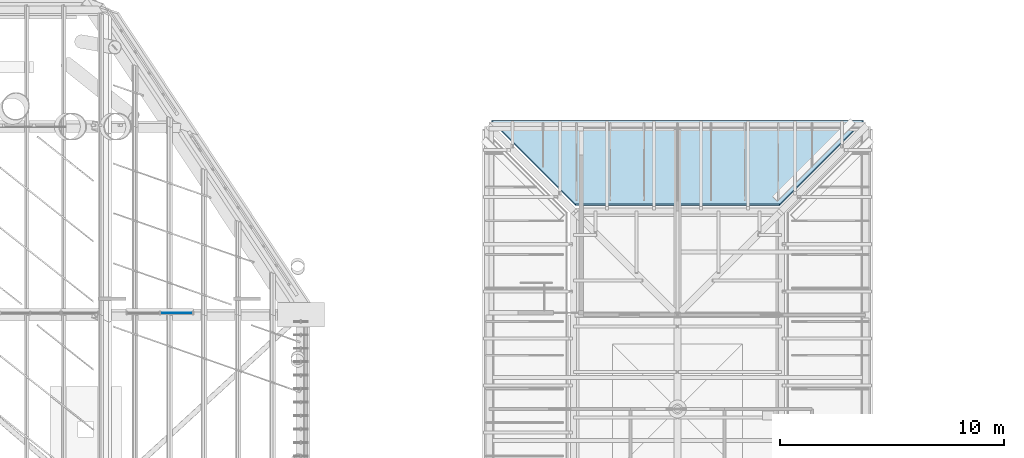
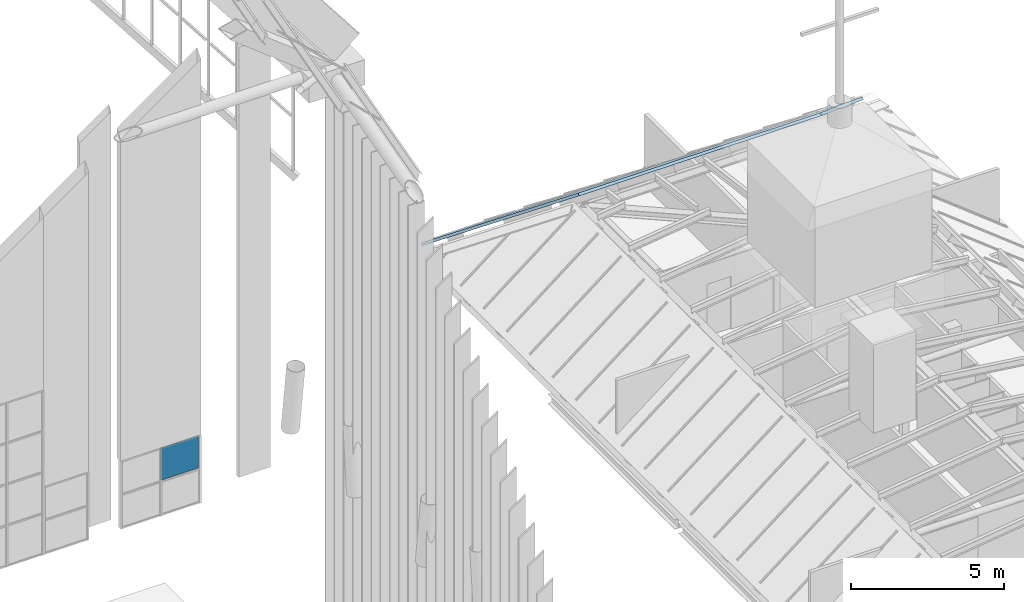
# One storey, part 77 of 126: 1 plate, 1 slab, 1 element without a shape of its own.
"""IFC4 building model written with IfcOpenShell, lengths in metres."""

from ifc_helpers import new_model, si_unit, direction, frame, origin, origin_2d, place, context, subcontext, project, spatial, polyline, rectangle, outline, extrude, material, layer, layer_set, type_object, element, aggregate, save


model = new_model("IFC4")

# Units and contexts
model_context = context("Model", 3, precision=1e-05, world=origin(), true_north=direction((0.0, 1.0)))
body_context = subcontext(model_context, "Body", "Model", "MODEL_VIEW")
ifc_project = project(units=[si_unit("LENGTHUNIT", "METRE"), si_unit("AREAUNIT", "SQUARE_METRE"), si_unit("VOLUMEUNIT", "CUBIC_METRE"), si_unit("PLANEANGLEUNIT", "RADIAN"), si_unit("MASSUNIT", "GRAM", prefix="KILO")], contexts=[model_context])

# Site, building, storey
site_placement = place(None, origin())
site = spatial("IfcSite", under=ifc_project, at=site_placement, CompositionType="ELEMENT")
building_placement = place(site_placement, origin())
building = spatial("IfcBuilding", under=site, at=building_placement, Name="Sava Quay Ferry Terminal", CompositionType="ELEMENT")
storey_placement = place(building_placement, frame((0.0, 0.0, 15.0)))
storey = spatial("IfcBuildingStorey", under=building, at=storey_placement, Name="L03", CompositionType="ELEMENT", Elevation=15.0)

# Curtain wall, plate
ifc_material_1 = material(Name="Aluminium and glass curtain wall, double low-e glazed", Category="aluminium")
curtain_wall_type = type_object("IfcCurtainWallType", Name="Curtain wall CW-G gable", PredefinedType="NOTDEFINED", material=ifc_material_1)
curtain_wall_placement = place(storey_placement, origin())
curtain_wall = element("IfcCurtainWall", 1, at=curtain_wall_placement, inside=storey, type_object=curtain_wall_type, Name="Curtain wall D-N L03 bay 52", PredefinedType="NOTDEFINED")
ifc_material_2 = material(Name="Laminated glass, double low-e glazed unit", Category="glass")
ifc_layer_1 = layer(ifc_material_2, 0.028076171875)
ifc_layer_set_1 = layer_set([ifc_layer_1], Name="Laminated glass, double low-e glazed unit")
plate_type = type_object("IfcPlateType", Name="Glass panel 28 double low-e", PredefinedType="CURTAIN_PANEL", material=ifc_layer_set_1)
plate_placement = place(storey_placement, frame((78.449951171875, 100.885009765625, 1.375), z_axis=(0.0, 0.0, 1.0), x_axis=(1.0, 0.0, 0.0)))
plate = element("IfcPlate", 2, at=plate_placement, type_object=plate_type, Name="CW84 panel 2.2", PredefinedType="CURTAIN_PANEL", context=body_context, shape_type="SweptSolid", body=[
    extrude(rectangle(XDim=1.419921875, YDim=0.028076171875, at=origin_2d()), origin(), (0.0, 0.0, 1.0), 1.27490234375),
])
aggregate(curtain_wall, [plate])

# Slab
ifc_material_3 = material(Name="Cross laminated timber C24", Category="wood")
ifc_layer_2 = layer(ifc_material_3, 0.10009765625)
ifc_layer_set_2 = layer_set([ifc_layer_2], Name="Cross laminated timber C24")
slab_type = type_object("IfcSlabType", Name="Roof deck CLT 100", PredefinedType="ROOF", material=ifc_layer_set_2)
slab_placement = place(storey_placement, frame((109.09716796875, 109.478759765625, 0.435791015625), z_axis=(0.0, 0.617828353519, 0.78631299467), x_axis=(-0.61813743974, -0.618097086075, 0.485656357702)))
element("IfcSlab", 3, at=slab_placement, inside=storey, type_object=slab_type, Name="Mansard roof deck O-L2", PredefinedType="ROOF", context=body_context, shape_type="SweptSolid", body=[
    extrude(outline(polyline([(0.0, 0.0), (6.050023592359083, 4.440892098500626e-16), (11.684340319094604, -7.16502072541175), (10.257519965614392, -13.044233526348915), (0.0, 0.0)])), origin(), (0.0, 0.0, -1.0), 0.10009765625),
])

save(model, "model.ifc")
